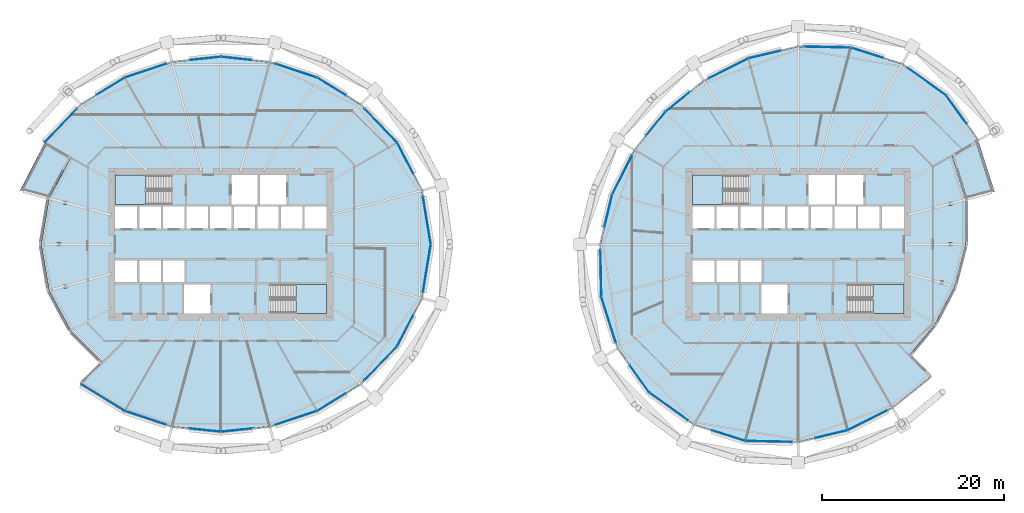
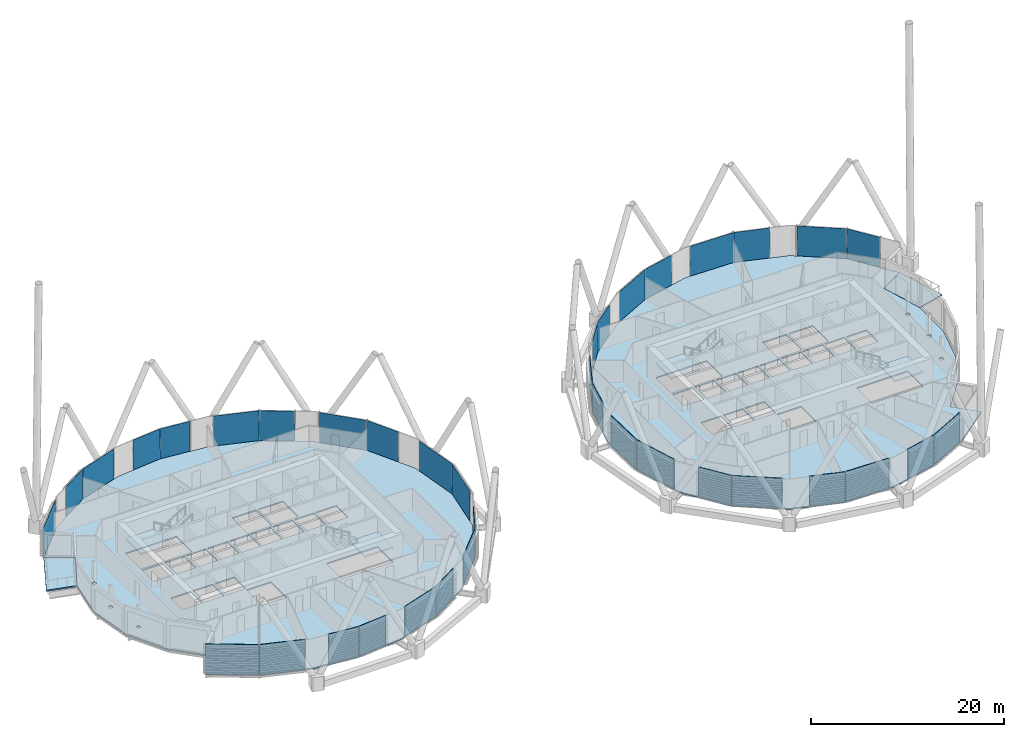
# One storey, part 26 of 39: 37 plates, 8 slabs, 6 elements without a shape of their own.
"""IFC4 building model written with IfcOpenShell, lengths in metres."""

from ifc_helpers import new_model, si_unit, direction, frame, origin, origin_2d, place, context, subcontext, project, spatial, polyline, rectangle, outline, extrude, material, layer, layer_set, type_object, element, aggregate, save


model = new_model("IFC4")

# Units and contexts
model_context = context("Model", 3, precision=1e-05, world=origin(), true_north=direction((0.0, 1.0)))
body_context = subcontext(model_context, "Body", "Model", "MODEL_VIEW")
ifc_project = project(units=[si_unit("LENGTHUNIT", "METRE"), si_unit("AREAUNIT", "SQUARE_METRE"), si_unit("VOLUMEUNIT", "CUBIC_METRE"), si_unit("PLANEANGLEUNIT", "RADIAN"), si_unit("MASSUNIT", "GRAM", prefix="KILO")], contexts=[model_context])

# Site, building, storey
site_placement = place(None, origin())
site = spatial("IfcSite", under=ifc_project, at=site_placement, CompositionType="ELEMENT")
building_placement = place(site_placement, origin())
building = spatial("IfcBuilding", under=site, at=building_placement, Name="Rimbun Link Towers", CompositionType="ELEMENT")
storey_placement = place(building_placement, frame((0.0, 0.0, 115.800048828125)))
storey = spatial("IfcBuildingStorey", under=building, at=storey_placement, Name="L28", CompositionType="ELEMENT", Elevation=115.800048828125)

# Slabs
ifc_material_1 = material(Name="Concrete C35/45", Category="concrete")
ifc_layer_1 = layer(ifc_material_1, 0.159912109375)
ifc_layer_set_1 = layer_set([ifc_layer_1], Name="COMPOSITE FLOOR 160")
slab_type_1 = type_object("IfcSlabType", Name="COMPOSITE FLOOR 160", PredefinedType="FLOOR", material=ifc_layer_set_1)
slab_1_placement = place(storey_placement, frame((0.0, 0.0, -0.16015625)))
element("IfcSlab", 1, at=slab_1_placement, inside=storey, type_object=slab_type_1, Name="Floor slab T1 L28", PredefinedType="FLOOR", context=body_context, shape_type="SweptSolid", body=[
    extrude(outline(polyline([(-47.115478515625, 15.365478515625), (-42.321044921875, 18.3095703125), (-37.117919921875, 20.03369140625), (-31.75, 20.59912109375), (-26.382080078125, 20.03369140625), (-21.178955078125, 18.3095703125), (-16.384521484375, 15.365478515625), (-12.37646484375, 11.185302734375), (-9.652587890625, 5.9208984375), (-8.678955078125, 0.0), (-9.652587890625, -5.9208984375), (-12.37646484375, -11.185302734375), (-16.384521484375, -15.365478515625), (-21.178955078125, -18.3095703125), (-26.382080078125, -20.03369140625), (-31.75, -20.59912109375), (-37.117919921875, -20.03369140625), (-42.321044921875, -18.3095703125), (-47.115478515625, -15.365478515625), (-44.7822265625, -13.0322265625), (-48.265625, -9.535400390625), (-50.659912109375, -5.06689453125), (-51.52099609375, 0.0), (-50.659912109375, 5.06689453125), (-48.265625, 9.535400390625), (-51.12353515625, 11.185302734375), (-47.115478515625, 15.365478515625)]), holes=[polyline([(-48.682861328125, -4.787353515625), (-48.682861328125, -4.393798828125), (-49.081787109375, -4.393798828125), (-49.081787109375, -4.787353515625), (-48.682861328125, -4.787353515625)]), polyline([(-40.95556640625, -4.14990234375), (-40.95556640625, -1.75), (-43.375, -1.75), (-43.375, -4.14990234375), (-40.95556640625, -4.14990234375)]), polyline([(-38.361083984375, -4.14990234375), (-38.361083984375, -1.75), (-40.70556640625, -1.75), (-40.70556640625, -4.14990234375), (-38.361083984375, -4.14990234375)]), polyline([(-38.111083984375, -4.14990234375), (-35.7666015625, -4.14990234375), (-35.7666015625, -1.75), (-38.111083984375, -1.75), (-38.111083984375, -4.14990234375)]), polyline([(-49.751708984375, -0.19677734375), (-49.352783203125, -0.19677734375), (-49.352783203125, 0.19677734375), (-49.751708984375, 0.19677734375), (-49.751708984375, -0.19677734375)]), polyline([(-40.95556640625, 1.75), (-40.95556640625, 4.14990234375), (-43.375, 4.14990234375), (-43.375, 1.75), (-40.95556640625, 1.75)]), polyline([(-38.361083984375, 1.75), (-38.361083984375, 4.14990234375), (-40.70556640625, 4.14990234375), (-40.70556640625, 1.75), (-38.361083984375, 1.75)]), polyline([(-35.7666015625, 1.75), (-35.7666015625, 4.14990234375), (-38.111083984375, 4.14990234375), (-38.111083984375, 1.75), (-35.7666015625, 1.75)]), polyline([(-49.081787109375, 4.393798828125), (-48.682861328125, 4.393798828125), (-48.682861328125, 4.787353515625), (-49.081787109375, 4.787353515625), (-49.081787109375, 4.393798828125)]), polyline([(-43.375, 4.39990234375), (-37.260009765625, 4.39990234375), (-37.260009765625, 7.625), (-43.375, 7.625), (-43.375, 4.39990234375)]), polyline([(-32.89990234375, -7.625), (-32.89990234375, -4.39990234375), (-35.800048828125, -4.39990234375), (-35.800048828125, -7.625), (-32.89990234375, -7.625)]), polyline([(-20.125, -7.625), (-20.125, -4.39990234375), (-26.239990234375, -4.39990234375), (-26.239990234375, -7.625), (-20.125, -7.625)]), polyline([(-33.172119140625, 1.75), (-33.172119140625, 4.14990234375), (-35.5166015625, 4.14990234375), (-35.5166015625, 1.75), (-33.172119140625, 1.75)]), polyline([(-32.922119140625, 1.75), (-30.577880859375, 1.75), (-30.577880859375, 4.14990234375), (-32.922119140625, 4.14990234375), (-32.922119140625, 1.75)]), polyline([(-30.327880859375, 1.75), (-27.9833984375, 1.75), (-27.9833984375, 4.14990234375), (-30.327880859375, 4.14990234375), (-30.327880859375, 1.75)]), polyline([(-25.388916015625, 1.75), (-25.388916015625, 4.14990234375), (-27.7333984375, 4.14990234375), (-27.7333984375, 1.75), (-25.388916015625, 1.75)]), polyline([(-22.79443359375, 1.75), (-22.79443359375, 4.14990234375), (-25.138916015625, 4.14990234375), (-25.138916015625, 1.75), (-22.79443359375, 1.75)]), polyline([(-20.125, 1.75), (-20.125, 4.14990234375), (-22.54443359375, 4.14990234375), (-22.54443359375, 1.75), (-20.125, 1.75)]), polyline([(-30.60009765625, 4.39990234375), (-27.699951171875, 4.39990234375), (-27.699951171875, 7.625), (-30.60009765625, 7.625), (-30.60009765625, 4.39990234375)]), polyline([(-27.449951171875, 4.39990234375), (-24.550048828125, 4.39990234375), (-24.550048828125, 7.625), (-27.449951171875, 7.625), (-27.449951171875, 4.39990234375)])]), origin(), (0.0, 0.0, 1.0), 0.16015625),
])
slab_2_placement = place(storey_placement, frame((0.0, 0.0, -0.16015625)))
element("IfcSlab", 2, at=slab_2_placement, inside=storey, type_object=slab_type_1, Name="Floor slab T2 L28", PredefinedType="FLOOR", context=body_context, shape_type="SweptSolid", body=[
    extrude(outline(polyline([(42.1201171875, -17.961669921875), (37.221923828125, -20.421630859375), (31.75, -21.730224609375), (25.960205078125, -21.6083984375), (20.3115234375, -19.81201171875), (15.436279296875, -16.313720703125), (11.93798828125, -11.4384765625), (10.1416015625, -5.789794921875), (10.019775390625, 0.0), (11.328369140625, 5.471923828125), (13.788330078125, 10.3701171875), (17.184326171875, 14.565673828125), (21.3798828125, 17.961669921875), (26.278076171875, 20.421630859375), (31.75, 21.730224609375), (37.539794921875, 21.6083984375), (43.1884765625, 19.81201171875), (48.063720703125, 16.313720703125), (51.56201171875, 11.4384765625), (48.7041015625, 9.788330078125), (50.170654296875, 4.935791015625), (50.180419921875, 0.0), (48.98388671875, -4.617919921875), (46.85400390625, -8.72021484375), (43.982421875, -12.232421875), (46.315673828125, -14.565673828125), (42.1201171875, -17.961669921875)]), holes=[polyline([(30.60009765625, -7.625), (30.60009765625, -4.39990234375), (27.699951171875, -4.39990234375), (27.699951171875, -7.625), (30.60009765625, -7.625)]), polyline([(22.54443359375, -4.14990234375), (22.54443359375, -1.75), (20.125, -1.75), (20.125, -4.14990234375), (22.54443359375, -4.14990234375)]), polyline([(25.138916015625, -4.14990234375), (25.138916015625, -1.75), (22.79443359375, -1.75), (22.79443359375, -4.14990234375), (25.138916015625, -4.14990234375)]), polyline([(25.388916015625, -4.14990234375), (27.7333984375, -4.14990234375), (27.7333984375, -1.75), (25.388916015625, -1.75), (25.388916015625, -4.14990234375)]), polyline([(20.125, 1.75), (22.54443359375, 1.75), (22.54443359375, 4.14990234375), (20.125, 4.14990234375), (20.125, 1.75)]), polyline([(25.138916015625, 1.75), (25.138916015625, 4.14990234375), (22.79443359375, 4.14990234375), (22.79443359375, 1.75), (25.138916015625, 1.75)]), polyline([(27.7333984375, 1.75), (27.7333984375, 4.14990234375), (25.388916015625, 4.14990234375), (25.388916015625, 1.75), (27.7333984375, 1.75)]), polyline([(30.327880859375, 1.75), (30.327880859375, 4.14990234375), (27.9833984375, 4.14990234375), (27.9833984375, 1.75), (30.327880859375, 1.75)]), polyline([(30.577880859375, 1.75), (32.922119140625, 1.75), (32.922119140625, 4.14990234375), (30.577880859375, 4.14990234375), (30.577880859375, 1.75)]), polyline([(20.125, 4.39990234375), (26.239990234375, 4.39990234375), (26.239990234375, 7.625), (20.125, 7.625), (20.125, 4.39990234375)]), polyline([(43.375, -7.625), (43.375, -4.39990234375), (37.260009765625, -4.39990234375), (37.260009765625, -7.625), (43.375, -7.625)]), polyline([(47.741455078125, -4.42822265625), (47.741455078125, -4.03466796875), (47.342529296875, -4.03466796875), (47.342529296875, -4.42822265625), (47.741455078125, -4.42822265625)]), polyline([(48.6748046875, -0.19677734375), (48.6748046875, 0.19677734375), (48.27587890625, 0.19677734375), (48.27587890625, -0.19677734375), (48.6748046875, -0.19677734375)]), polyline([(33.172119140625, 1.75), (35.5166015625, 1.75), (35.5166015625, 4.14990234375), (33.172119140625, 4.14990234375), (33.172119140625, 1.75)]), polyline([(35.7666015625, 1.75), (38.111083984375, 1.75), (38.111083984375, 4.14990234375), (35.7666015625, 4.14990234375), (35.7666015625, 1.75)]), polyline([(40.70556640625, 1.75), (40.70556640625, 4.14990234375), (38.361083984375, 4.14990234375), (38.361083984375, 1.75), (40.70556640625, 1.75)]), polyline([(43.375, 1.75), (43.375, 4.14990234375), (40.95556640625, 4.14990234375), (40.95556640625, 1.75), (43.375, 1.75)]), polyline([(48.688720703125, 4.28857421875), (48.688720703125, 4.68212890625), (48.289794921875, 4.68212890625), (48.289794921875, 4.28857421875), (48.688720703125, 4.28857421875)]), polyline([(32.89990234375, 4.39990234375), (35.800048828125, 4.39990234375), (35.800048828125, 7.625), (32.89990234375, 7.625), (32.89990234375, 4.39990234375)]), polyline([(36.050048828125, 4.39990234375), (38.949951171875, 4.39990234375), (38.949951171875, 7.625), (36.050048828125, 7.625), (36.050048828125, 4.39990234375)])]), origin(), (0.0, 0.0, 1.0), 0.16015625),
])

# Curtain wall, plates
ifc_material_2 = material(Name="Aluminium 6063-T6 and low-iron glass", Category="aluminium")
curtain_wall_type = type_object("IfcCurtainWallType", Name="CW1-Z2 unitised vision wall (zone 2)", PredefinedType="NOTDEFINED", material=ifc_material_2)
curtain_wall_1_placement = place(storey_placement, origin())
curtain_wall_1 = element("IfcCurtainWall", 3, at=curtain_wall_1_placement, inside=storey, type_object=curtain_wall_type, Name="CW1 L28 T1", PredefinedType="NOTDEFINED")
ifc_material_3 = material(Name="Low-iron glass, laminated low-e unit", Category="glass")
ifc_layer_2 = layer(ifc_material_3, 0.028076171875)
ifc_layer_set_2 = layer_set([ifc_layer_2], Name="CW1 panel Low-iron glass 28")
plate_type = type_object("IfcPlateType", Name="CW1 panel Low-iron glass 28", PredefinedType="CURTAIN_PANEL", material=ifc_layer_set_2)
plate_1_placement = place(storey_placement, frame((-9.099365234375, 2.64208984375, 0.0), z_axis=(0.0, 0.0, 1.0), x_axis=(0.162269061749, -0.986746548815, 0.0)))
plate_1 = element("IfcPlate", 4, at=plate_1_placement, type_object=plate_type, Name="CW1 panel", PredefinedType="CURTAIN_PANEL", context=body_context, shape_type="SweptSolid", body=[
    extrude(rectangle(XDim=5.310546875, YDim=0.028076171875, at=origin_2d()), origin(), (0.0, 0.0, 1.0), 3.800048828125),
])
plate_2_placement = place(storey_placement, frame((-11.47314453125, 9.469970703125, 0.0), z_axis=(0.0, 0.0, 1.0), x_axis=(0.459540871589, -0.888156623203, 0.0)))
plate_2 = element("IfcPlate", 5, at=plate_2_placement, type_object=plate_type, Name="CW1 panel", PredefinedType="CURTAIN_PANEL", context=body_context, shape_type="SweptSolid", body=[
    extrude(rectangle(XDim=3.837158203125, YDim=0.028076171875, at=origin_2d()), origin(), (0.0, 0.0, 1.0), 3.800048828125),
])
plate_3_placement = place(storey_placement, frame((-14.162841796875, 13.068603515625, 0.0), z_axis=(0.0, 0.0, 1.0), x_axis=(0.692065488922, -0.721834717261, 0.0)))
plate_3 = element("IfcPlate", 6, at=plate_3_placement, type_object=plate_type, Name="CW1 panel", PredefinedType="CURTAIN_PANEL", context=body_context, shape_type="SweptSolid", body=[
    extrude(rectangle(XDim=5.151123046875, YDim=0.028076171875, at=origin_2d()), origin(), (0.0, 0.0, 1.0), 3.800048828125),
])
plate_4_placement = place(storey_placement, frame((-19.583984375, 17.3466796875, 0.0), z_axis=(0.0, 0.0, 1.0), x_axis=(0.852183322336, -0.523243332621, 0.0)))
plate_4 = element("IfcPlate", 7, at=plate_4_placement, type_object=plate_type, Name="CW1 panel", PredefinedType="CURTAIN_PANEL", context=body_context, shape_type="SweptSolid", body=[
    extrude(rectangle(XDim=3.686279296875, YDim=0.028076171875, at=origin_2d()), origin(), (0.0, 0.0, 1.0), 3.800048828125),
])
plate_5_placement = place(storey_placement, frame((-23.4912109375, 19.090576171875, 0.0), z_axis=(0.0, 0.0, 1.0), x_axis=(0.949236457235, -0.314563424855, 0.0)))
plate_5 = element("IfcPlate", 8, at=plate_5_placement, type_object=plate_type, Name="CW1 panel", PredefinedType="CURTAIN_PANEL", context=body_context, shape_type="SweptSolid", body=[
    extrude(rectangle(XDim=4.84130859375, YDim=0.028076171875, at=origin_2d()), origin(), (0.0, 0.0, 1.0), 3.800048828125),
])
plate_6_placement = place(storey_placement, frame((-30.0341796875, 20.432373046875, 0.0), z_axis=(0.0, 0.0, 1.0), x_axis=(0.994498750915, -0.104748434017, 0.0)))
plate_6 = element("IfcPlate", 9, at=plate_6_placement, type_object=plate_type, Name="CW1 panel", PredefinedType="CURTAIN_PANEL", context=body_context, shape_type="SweptSolid", body=[
    extrude(rectangle(XDim=3.40771484375, YDim=0.028076171875, at=origin_2d()), origin(), (0.0, 0.0, 1.0), 3.800048828125),
])
plate_7_placement = place(storey_placement, frame((-33.4658203125, 20.432373046875, 0.0), z_axis=(0.0, 0.0, 1.0), x_axis=(0.994498750915, 0.104748434017, 0.0)))
plate_7 = element("IfcPlate", 10, at=plate_7_placement, type_object=plate_type, Name="CW1 panel", PredefinedType="CURTAIN_PANEL", context=body_context, shape_type="SweptSolid", body=[
    extrude(rectangle(XDim=3.40771484375, YDim=0.028076171875, at=origin_2d()), origin(), (0.0, 0.0, 1.0), 3.800048828125),
])
plate_8_placement = place(storey_placement, frame((-40.0087890625, 19.090576171875, 0.0), z_axis=(0.0, 0.0, 1.0), x_axis=(0.949236457235, 0.314563424855, 0.0)))
plate_8 = element("IfcPlate", 11, at=plate_8_placement, type_object=plate_type, Name="CW1 panel", PredefinedType="CURTAIN_PANEL", context=body_context, shape_type="SweptSolid", body=[
    extrude(rectangle(XDim=4.84130859375, YDim=0.028076171875, at=origin_2d()), origin(), (0.0, 0.0, 1.0), 3.800048828125),
])
plate_9_placement = place(storey_placement, frame((-43.894775390625, 17.359619140625, 0.0), z_axis=(0.0, 0.0, 1.0), x_axis=(0.852183322336, 0.523243332621, 0.0)))
plate_9 = element("IfcPlate", 12, at=plate_9_placement, type_object=plate_type, Name="CW1 panel", PredefinedType="CURTAIN_PANEL", context=body_context, shape_type="SweptSolid", body=[
    extrude(rectangle(XDim=3.63623046875, YDim=0.028076171875, at=origin_2d()), origin(), (0.0, 0.0, 1.0), 3.800048828125),
])
plate_10_placement = place(storey_placement, frame((-49.337158203125, 13.068603515625, 0.0), z_axis=(0.0, 0.0, 1.0), x_axis=(0.692065488922, 0.721834717261, 0.0)))
plate_10 = element("IfcPlate", 13, at=plate_10_placement, type_object=plate_type, Name="CW1 panel", PredefinedType="CURTAIN_PANEL", context=body_context, shape_type="SweptSolid", body=[
    extrude(rectangle(XDim=5.151123046875, YDim=0.028076171875, at=origin_2d()), origin(), (0.0, 0.0, 1.0), 3.800048828125),
])
plate_11_placement = place(storey_placement, frame((-44.7255859375, -16.849365234375, 0.0), z_axis=(0.0, 0.0, 1.0), x_axis=(-0.852183322336, 0.523243332621, 0.0)))
plate_11 = element("IfcPlate", 14, at=plate_11_placement, type_object=plate_type, Name="CW1 panel", PredefinedType="CURTAIN_PANEL", context=body_context, shape_type="SweptSolid", body=[
    extrude(rectangle(XDim=5.586181640625, YDim=0.028076171875, at=origin_2d()), origin(), (0.0, 0.0, 1.0), 3.800048828125),
])
plate_12_placement = place(storey_placement, frame((-40.032470703125, -19.082763671875, 0.0), z_axis=(0.0, 0.0, 1.0), x_axis=(-0.949236457235, 0.314563424855, 0.0)))
plate_12 = element("IfcPlate", 15, at=plate_12_placement, type_object=plate_type, Name="CW1 panel", PredefinedType="CURTAIN_PANEL", context=body_context, shape_type="SweptSolid", body=[
    extrude(rectangle(XDim=4.791259765625, YDim=0.028076171875, at=origin_2d()), origin(), (0.0, 0.0, 1.0), 3.800048828125),
])
plate_13_placement = place(storey_placement, frame((-33.4658203125, -20.432373046875, 0.0), z_axis=(0.0, 0.0, 1.0), x_axis=(-0.994498750915, 0.104748434017, 0.0)))
plate_13 = element("IfcPlate", 16, at=plate_13_placement, type_object=plate_type, Name="CW1 panel", PredefinedType="CURTAIN_PANEL", context=body_context, shape_type="SweptSolid", body=[
    extrude(rectangle(XDim=3.40771484375, YDim=0.028076171875, at=origin_2d()), origin(), (0.0, 0.0, 1.0), 3.800048828125),
])
plate_14_placement = place(storey_placement, frame((-30.0341796875, -20.432373046875, 0.0), z_axis=(0.0, 0.0, 1.0), x_axis=(-0.994498750915, -0.104748434017, 0.0)))
plate_14 = element("IfcPlate", 17, at=plate_14_placement, type_object=plate_type, Name="CW1 panel", PredefinedType="CURTAIN_PANEL", context=body_context, shape_type="SweptSolid", body=[
    extrude(rectangle(XDim=3.40771484375, YDim=0.028076171875, at=origin_2d()), origin(), (0.0, 0.0, 1.0), 3.800048828125),
])
plate_15_placement = place(storey_placement, frame((-23.4912109375, -19.090576171875, 0.0), z_axis=(0.0, 0.0, 1.0), x_axis=(-0.949236457235, -0.314563424855, 0.0)))
plate_15 = element("IfcPlate", 18, at=plate_15_placement, type_object=plate_type, Name="CW1 panel", PredefinedType="CURTAIN_PANEL", context=body_context, shape_type="SweptSolid", body=[
    extrude(rectangle(XDim=4.84130859375, YDim=0.028076171875, at=origin_2d()), origin(), (0.0, 0.0, 1.0), 3.800048828125),
])
plate_16_placement = place(storey_placement, frame((-19.583984375, -17.3466796875, 0.0), z_axis=(0.0, 0.0, 1.0), x_axis=(-0.852183322336, -0.523243332621, 0.0)))
plate_16 = element("IfcPlate", 19, at=plate_16_placement, type_object=plate_type, Name="CW1 panel", PredefinedType="CURTAIN_PANEL", context=body_context, shape_type="SweptSolid", body=[
    extrude(rectangle(XDim=3.686279296875, YDim=0.028076171875, at=origin_2d()), origin(), (0.0, 0.0, 1.0), 3.800048828125),
])
plate_17_placement = place(storey_placement, frame((-14.162841796875, -13.068603515625, 0.0), z_axis=(0.0, 0.0, 1.0), x_axis=(-0.692065488922, -0.721834717261, 0.0)))
plate_17 = element("IfcPlate", 20, at=plate_17_placement, type_object=plate_type, Name="CW1 panel", PredefinedType="CURTAIN_PANEL", context=body_context, shape_type="SweptSolid", body=[
    extrude(rectangle(XDim=5.151123046875, YDim=0.028076171875, at=origin_2d()), origin(), (0.0, 0.0, 1.0), 3.800048828125),
])
plate_18_placement = place(storey_placement, frame((-11.47314453125, -9.469970703125, 0.0), z_axis=(0.0, 0.0, 1.0), x_axis=(-0.459540871589, -0.888156623203, 0.0)))
plate_18 = element("IfcPlate", 21, at=plate_18_placement, type_object=plate_type, Name="CW1 panel", PredefinedType="CURTAIN_PANEL", context=body_context, shape_type="SweptSolid", body=[
    extrude(rectangle(XDim=3.837158203125, YDim=0.028076171875, at=origin_2d()), origin(), (0.0, 0.0, 1.0), 3.800048828125),
])
plate_19_placement = place(storey_placement, frame((-9.099365234375, -2.64208984375, 0.0), z_axis=(0.0, 0.0, 1.0), x_axis=(-0.162269061749, -0.986746548815, 0.0)))
plate_19 = element("IfcPlate", 22, at=plate_19_placement, type_object=plate_type, Name="CW1 panel", PredefinedType="CURTAIN_PANEL", context=body_context, shape_type="SweptSolid", body=[
    extrude(rectangle(XDim=5.310546875, YDim=0.028076171875, at=origin_2d()), origin(), (0.0, 0.0, 1.0), 3.800048828125),
])
aggregate(curtain_wall_1, [plate_1, plate_2, plate_3, plate_4, plate_5, plate_6, plate_7, plate_8, plate_9, plate_10, plate_11, plate_12, plate_13, plate_14, plate_15, plate_16, plate_17, plate_18, plate_19])

curtain_wall_2_placement = place(storey_placement, origin())
curtain_wall_2 = element("IfcCurtainWall", 23, at=curtain_wall_2_placement, inside=storey, type_object=curtain_wall_type, Name="CW1 L28 T2", PredefinedType="NOTDEFINED")
plate_20_placement = place(storey_placement, frame((45.938720703125, 17.85546875, 0.0), z_axis=(0.0, 0.0, 1.0), x_axis=(0.812469264421, -0.583004026034, 0.0)))
plate_20 = element("IfcPlate", 24, at=plate_20_placement, type_object=plate_type, Name="CW1 panel", PredefinedType="CURTAIN_PANEL", context=body_context, shape_type="SweptSolid", body=[
    extrude(rectangle(XDim=5.21044921875, YDim=0.028076171875, at=origin_2d()), origin(), (0.0, 0.0, 1.0), 3.800048828125),
])
plate_21_placement = place(storey_placement, frame((39.36767578125, 21.041748046875, 0.0), z_axis=(0.0, 0.0, 1.0), x_axis=(0.952967205153, -0.303073433186, 0.0)))
plate_21 = element("IfcPlate", 25, at=plate_21_placement, type_object=plate_type, Name="CW1 panel", PredefinedType="CURTAIN_PANEL", context=body_context, shape_type="SweptSolid", body=[
    extrude(rectangle(XDim=3.787353515625, YDim=0.028076171875, at=origin_2d()), origin(), (0.0, 0.0, 1.0), 3.800048828125),
])
plate_22_placement = place(storey_placement, frame((34.945068359375, 21.677001953125, 0.0), z_axis=(0.0, 0.0, 1.0), x_axis=(0.999778076675, -0.02106649948, 0.0)))
plate_22 = element("IfcPlate", 26, at=plate_22_placement, type_object=plate_type, Name="CW1 panel", PredefinedType="CURTAIN_PANEL", context=body_context, shape_type="SweptSolid", body=[
    extrude(rectangle(XDim=5.151123046875, YDim=0.028076171875, at=origin_2d()), origin(), (0.0, 0.0, 1.0), 3.800048828125),
])
plate_23_placement = place(storey_placement, frame((28.0869140625, 20.86865234375, 0.0), z_axis=(0.0, 0.0, 1.0), x_axis=(0.972571724543, 0.232603182737, 0.0)))
plate_23 = element("IfcPlate", 27, at=plate_23_placement, type_object=plate_type, Name="CW1 panel", PredefinedType="CURTAIN_PANEL", context=body_context, shape_type="SweptSolid", body=[
    extrude(rectangle(XDim=3.686279296875, YDim=0.028076171875, at=origin_2d()), origin(), (0.0, 0.0, 1.0), 3.800048828125),
])
plate_24_placement = place(storey_placement, frame((24.0908203125, 19.3388671875, 0.0), z_axis=(0.0, 0.0, 1.0), x_axis=(0.893637652343, 0.448789200311, 0.0)))
plate_24 = element("IfcPlate", 28, at=plate_24_placement, type_object=plate_type, Name="CW1 panel", PredefinedType="CURTAIN_PANEL", context=body_context, shape_type="SweptSolid", body=[
    extrude(rectangle(XDim=4.84130859375, YDim=0.028076171875, at=origin_2d()), origin(), (0.0, 0.0, 1.0), 3.800048828125),
])
plate_25_placement = place(storey_placement, frame((18.515380859375, 15.6611328125, 0.0), z_axis=(0.0, 0.0, 1.0), x_axis=(0.777277227517, 0.62915825639, 0.0)))
plate_25 = element("IfcPlate", 29, at=plate_25_placement, type_object=plate_type, Name="CW1 panel", PredefinedType="CURTAIN_PANEL", context=body_context, shape_type="SweptSolid", body=[
    extrude(rectangle(XDim=3.40771484375, YDim=0.028076171875, at=origin_2d()), origin(), (0.0, 0.0, 1.0), 3.800048828125),
])
plate_26_placement = place(storey_placement, frame((16.1044921875, 13.254150390625, 0.0), z_axis=(0.0, 0.0, 1.0), x_axis=(0.62915825639, 0.777277227517, 0.0)))
plate_26 = element("IfcPlate", 30, at=plate_26_placement, type_object=plate_type, Name="CW1 panel", PredefinedType="CURTAIN_PANEL", context=body_context, shape_type="SweptSolid", body=[
    extrude(rectangle(XDim=3.357666015625, YDim=0.028076171875, at=origin_2d()), origin(), (0.0, 0.0, 1.0), 3.800048828125),
])
plate_27_placement = place(storey_placement, frame((12.4111328125, 7.6591796875, 0.0), z_axis=(0.0, 0.0, 1.0), x_axis=(0.448789200311, 0.893637652343, 0.0)))
plate_27 = element("IfcPlate", 31, at=plate_27_placement, type_object=plate_type, Name="CW1 panel", PredefinedType="CURTAIN_PANEL", context=body_context, shape_type="SweptSolid", body=[
    extrude(rectangle(XDim=4.84130859375, YDim=0.028076171875, at=origin_2d()), origin(), (0.0, 0.0, 1.0), 3.800048828125),
])
plate_28_placement = place(storey_placement, frame((10.88134765625, 3.6630859375, 0.0), z_axis=(0.0, 0.0, 1.0), x_axis=(0.232603182737, 0.972571724543, 0.0)))
plate_28 = element("IfcPlate", 32, at=plate_28_placement, type_object=plate_type, Name="CW1 panel", PredefinedType="CURTAIN_PANEL", context=body_context, shape_type="SweptSolid", body=[
    extrude(rectangle(XDim=3.686279296875, YDim=0.028076171875, at=origin_2d()), origin(), (0.0, 0.0, 1.0), 3.800048828125),
])
plate_29_placement = place(storey_placement, frame((10.072998046875, -3.195068359375, 0.0), z_axis=(0.0, 0.0, 1.0), x_axis=(-0.02106649948, 0.999778076675, 0.0)))
plate_29 = element("IfcPlate", 33, at=plate_29_placement, type_object=plate_type, Name="CW1 panel", PredefinedType="CURTAIN_PANEL", context=body_context, shape_type="SweptSolid", body=[
    extrude(rectangle(XDim=5.151123046875, YDim=0.028076171875, at=origin_2d()), origin(), (0.0, 0.0, 1.0), 3.800048828125),
])
plate_30_placement = place(storey_placement, frame((10.927978515625, -8.30859375, 0.0), z_axis=(0.0, 0.0, 1.0), x_axis=(-0.303073433186, 0.952967205153, 0.0)))
plate_30 = element("IfcPlate", 34, at=plate_30_placement, type_object=plate_type, Name="CW1 panel", PredefinedType="CURTAIN_PANEL", context=body_context, shape_type="SweptSolid", body=[
    extrude(rectangle(XDim=5.2373046875, YDim=0.028076171875, at=origin_2d()), origin(), (0.0, 0.0, 1.0), 3.800048828125),
])
plate_31_placement = place(storey_placement, frame((14.317138671875, -14.77783203125, 0.0), z_axis=(0.0, 0.0, 1.0), x_axis=(-0.583004026034, 0.812469264421, 0.0)))
plate_31 = element("IfcPlate", 35, at=plate_31_placement, type_object=plate_type, Name="CW1 panel", PredefinedType="CURTAIN_PANEL", context=body_context, shape_type="SweptSolid", body=[
    extrude(rectangle(XDim=3.760498046875, YDim=0.028076171875, at=origin_2d()), origin(), (0.0, 0.0, 1.0), 3.800048828125),
])
plate_32_placement = place(storey_placement, frame((17.561279296875, -17.85546875, 0.0), z_axis=(0.0, 0.0, 1.0), x_axis=(-0.812469264421, 0.583004026034, 0.0)))
plate_32 = element("IfcPlate", 36, at=plate_32_placement, type_object=plate_type, Name="CW1 panel", PredefinedType="CURTAIN_PANEL", context=body_context, shape_type="SweptSolid", body=[
    extrude(rectangle(XDim=5.21044921875, YDim=0.028076171875, at=origin_2d()), origin(), (0.0, 0.0, 1.0), 3.800048828125),
])
plate_33_placement = place(storey_placement, frame((24.13232421875, -21.041748046875, 0.0), z_axis=(0.0, 0.0, 1.0), x_axis=(-0.952967205153, 0.303073433186, 0.0)))
plate_33 = element("IfcPlate", 37, at=plate_33_placement, type_object=plate_type, Name="CW1 panel", PredefinedType="CURTAIN_PANEL", context=body_context, shape_type="SweptSolid", body=[
    extrude(rectangle(XDim=3.787353515625, YDim=0.028076171875, at=origin_2d()), origin(), (0.0, 0.0, 1.0), 3.800048828125),
])
plate_34_placement = place(storey_placement, frame((28.554931640625, -21.677001953125, 0.0), z_axis=(0.0, 0.0, 1.0), x_axis=(-0.999778076675, 0.02106649948, 0.0)))
plate_34 = element("IfcPlate", 38, at=plate_34_placement, type_object=plate_type, Name="CW1 panel", PredefinedType="CURTAIN_PANEL", context=body_context, shape_type="SweptSolid", body=[
    extrude(rectangle(XDim=5.151123046875, YDim=0.028076171875, at=origin_2d()), origin(), (0.0, 0.0, 1.0), 3.800048828125),
])
plate_35_placement = place(storey_placement, frame((35.4130859375, -20.86865234375, 0.0), z_axis=(0.0, 0.0, 1.0), x_axis=(-0.972571724543, -0.232603182737, 0.0)))
plate_35 = element("IfcPlate", 39, at=plate_35_placement, type_object=plate_type, Name="CW1 panel", PredefinedType="CURTAIN_PANEL", context=body_context, shape_type="SweptSolid", body=[
    extrude(rectangle(XDim=3.686279296875, YDim=0.028076171875, at=origin_2d()), origin(), (0.0, 0.0, 1.0), 3.800048828125),
])
plate_36_placement = place(storey_placement, frame((39.4091796875, -19.3388671875, 0.0), z_axis=(0.0, 0.0, 1.0), x_axis=(-0.893637652343, -0.448789200311, 0.0)))
plate_36 = element("IfcPlate", 40, at=plate_36_placement, type_object=plate_type, Name="CW1 panel", PredefinedType="CURTAIN_PANEL", context=body_context, shape_type="SweptSolid", body=[
    extrude(rectangle(XDim=4.84130859375, YDim=0.028076171875, at=origin_2d()), origin(), (0.0, 0.0, 1.0), 3.800048828125),
])
plate_37_placement = place(storey_placement, frame((49.182861328125, 14.77783203125, 0.0), z_axis=(0.0, 0.0, 1.0), x_axis=(0.583004026034, -0.812469264421, 0.0)))
plate_37 = element("IfcPlate", 41, at=plate_37_placement, type_object=plate_type, Name="CW1 panel", PredefinedType="CURTAIN_PANEL", context=body_context, shape_type="SweptSolid", body=[
    extrude(rectangle(XDim=3.760498046875, YDim=0.028076171875, at=origin_2d()), origin(), (0.0, 0.0, 1.0), 3.800048828125),
])
aggregate(curtain_wall_2, [plate_20, plate_21, plate_22, plate_23, plate_24, plate_25, plate_26, plate_27, plate_28, plate_29, plate_30, plate_31, plate_32, plate_33, plate_34, plate_35, plate_36, plate_37])

# Stair, slab
ifc_material_4 = material(Name="Concrete C40/50", Category="concrete")
stair_type = type_object("IfcStairType", Name="Exit stair 3800 rise", PredefinedType="HALF_TURN_STAIR", material=ifc_material_4)
stair_1_placement = place(storey_placement, origin())
stair_1 = element("IfcStair", 42, at=stair_1_placement, inside=storey, type_object=stair_type, Name="L28 EXIT STAIR A", PredefinedType="HALF_TURN_STAIR")
ifc_material_5 = material(Name="Concrete C40/50", Category="concrete")
ifc_layer_3 = layer(ifc_material_5, 0.199951171875)
ifc_layer_set_3 = layer_set([ifc_layer_3], Name="Stair landing")
slab_type_2 = type_object("IfcSlabType", Name="Stair landing", PredefinedType="LANDING", material=ifc_layer_set_3)
slab_3_placement = place(storey_placement, frame((0.0, 0.0, 1.699951171875)))
slab_3 = element("IfcSlab", 43, at=slab_3_placement, type_object=slab_type_2, Name="ST1 landing 1", PredefinedType="LANDING", context=body_context, shape_type="SweptSolid", body=[
    extrude(outline(polyline([(-40.0, 7.625), (-43.375, 7.625), (-43.375, 4.39990234375), (-40.0, 4.39990234375), (-40.0, 7.625)])), origin(), (0.0, 0.0, 1.0), 0.199951171875),
])
aggregate(stair_1, [slab_3])

stair_2_placement = place(storey_placement, origin())
stair_2 = element("IfcStair", 44, at=stair_2_placement, inside=storey, type_object=stair_type, Name="L28 EXIT STAIR B", PredefinedType="HALF_TURN_STAIR")
slab_4_placement = place(storey_placement, frame((0.0, 0.0, 1.699951171875)))
slab_4 = element("IfcSlab", 45, at=slab_4_placement, type_object=slab_type_2, Name="ST2 landing 1", PredefinedType="LANDING", context=body_context, shape_type="SweptSolid", body=[
    extrude(outline(polyline([(-23.5, -7.625), (-20.125, -7.625), (-20.125, -4.39990234375), (-23.5, -4.39990234375), (-23.5, -7.625)])), origin(), (0.0, 0.0, 1.0), 0.199951171875),
])
aggregate(stair_2, [slab_4])

stair_3_placement = place(storey_placement, origin())
stair_3 = element("IfcStair", 46, at=stair_3_placement, inside=storey, type_object=stair_type, Name="L28 EXIT STAIR A", PredefinedType="HALF_TURN_STAIR")
slab_5_placement = place(storey_placement, frame((0.0, 0.0, 1.699951171875)))
slab_5 = element("IfcSlab", 47, at=slab_5_placement, type_object=slab_type_2, Name="ST3 landing 1", PredefinedType="LANDING", context=body_context, shape_type="SweptSolid", body=[
    extrude(outline(polyline([(23.5, 7.625), (20.125, 7.625), (20.125, 4.39990234375), (23.5, 4.39990234375), (23.5, 7.625)])), origin(), (0.0, 0.0, 1.0), 0.199951171875),
])
aggregate(stair_3, [slab_5])

stair_4_placement = place(storey_placement, origin())
stair_4 = element("IfcStair", 48, at=stair_4_placement, inside=storey, type_object=stair_type, Name="L28 EXIT STAIR B", PredefinedType="HALF_TURN_STAIR")
slab_6_placement = place(storey_placement, frame((0.0, 0.0, 1.699951171875)))
slab_6 = element("IfcSlab", 49, at=slab_6_placement, type_object=slab_type_2, Name="ST4 landing 1", PredefinedType="LANDING", context=body_context, shape_type="SweptSolid", body=[
    extrude(outline(polyline([(40.0, -7.625), (43.375, -7.625), (43.375, -4.39990234375), (40.0, -4.39990234375), (40.0, -7.625)])), origin(), (0.0, 0.0, 1.0), 0.199951171875),
])
aggregate(stair_4, [slab_6])

# Slabs
ifc_material_6 = material(Name="Concrete C35/45", Category="concrete")
ifc_layer_4 = layer(ifc_material_6, 0.159912109375)
ifc_layer_set_4 = layer_set([ifc_layer_4], Name="TERRACE SLAB 160")
slab_type_3 = type_object("IfcSlabType", Name="TERRACE SLAB 160", PredefinedType="FLOOR", material=ifc_layer_set_4)
slab_7_placement = place(storey_placement, frame((0.0, 0.0, -0.16015625)))
element("IfcSlab", 50, at=slab_7_placement, inside=storey, type_object=slab_type_3, Name="Terrace slab T1 L28", PredefinedType="FLOOR", context=body_context, shape_type="SweptSolid", body=[
    extrude(outline(polyline([(-48.265625, 9.535400390625), (-50.659912109375, 5.06689453125), (-53.847412109375, 5.9208984375), (-51.12353515625, 11.185302734375), (-48.265625, 9.535400390625)])), origin(), (0.0, 0.0, 1.0), 0.16015625),
])
slab_8_placement = place(storey_placement, frame((0.0, 0.0, -0.16015625)))
element("IfcSlab", 51, at=slab_8_placement, inside=storey, type_object=slab_type_3, Name="Terrace slab T2 L28", PredefinedType="FLOOR", context=body_context, shape_type="SweptSolid", body=[
    extrude(outline(polyline([(50.170654296875, 4.935791015625), (48.7041015625, 9.788330078125), (51.56201171875, 11.4384765625), (53.3583984375, 5.789794921875), (50.170654296875, 4.935791015625)])), origin(), (0.0, 0.0, 1.0), 0.16015625),
])

save(model, "model.ifc")
